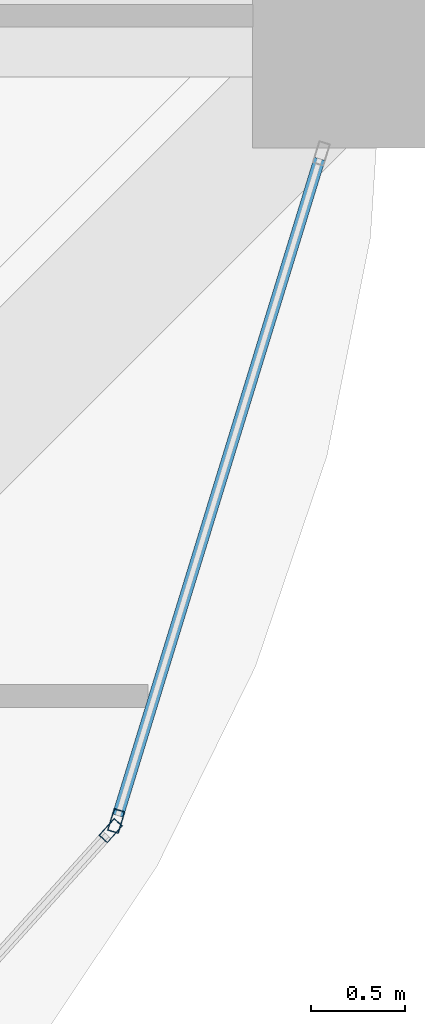
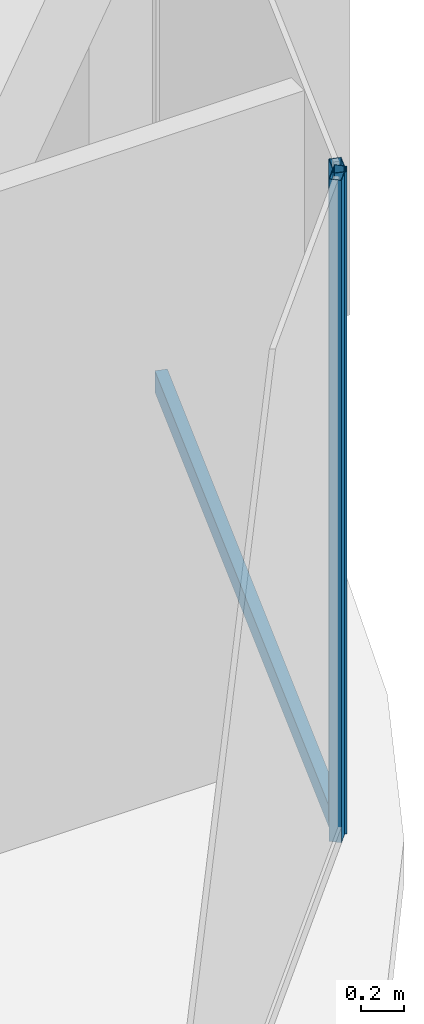
# One storey, part 19 of 43: 3 members, 2 elements without a shape of their own.
"""IFC4 building model written with IfcOpenShell, lengths in metres."""

from ifc_helpers import new_model, si_unit, direction, frame, origin, origin_2d, place, context, subcontext, project, spatial, hollow_rectangle, extrude, material, material_profile, profile_set, type_object, element, aggregate, save


model = new_model("IFC4")

# Units and contexts
model_context = context("Model", 3, precision=1e-05, world=origin(), true_north=direction((0.0, 1.0)))
body_context = subcontext(model_context, "Body", "Model", "MODEL_VIEW")
ifc_project = project(units=[si_unit("LENGTHUNIT", "METRE"), si_unit("AREAUNIT", "SQUARE_METRE"), si_unit("VOLUMEUNIT", "CUBIC_METRE"), si_unit("PLANEANGLEUNIT", "RADIAN"), si_unit("MASSUNIT", "GRAM", prefix="KILO")], contexts=[model_context])

# Site, building, storey
site_placement = place(None, origin())
site = spatial("IfcSite", under=ifc_project, at=site_placement, CompositionType="ELEMENT")
building_placement = place(site_placement, origin())
building = spatial("IfcBuilding", under=site, at=building_placement, Name="Zorevar Civic Tower", CompositionType="ELEMENT")
storey_placement = place(building_placement, frame((0.0, 0.0, 243.39990234375)))
storey = spatial("IfcBuildingStorey", under=building, at=storey_placement, Name="L59", CompositionType="ELEMENT", Elevation=243.39990234375)

# Curtain wall, member
ifc_material_1 = material(Name="Dark grey solar-control glass in black aluminium frame", Category="aluminium")
curtain_wall_type = type_object("IfcCurtainWallType", Name="Curtain wall CW5 top zone", PredefinedType="NOTDEFINED", material=ifc_material_1)
curtain_wall_1_placement = place(storey_placement, origin())
curtain_wall_1 = element("IfcCurtainWall", 1, at=curtain_wall_1_placement, inside=storey, type_object=curtain_wall_type, Name="CW5 L59", PredefinedType="NOTDEFINED")
ifc_material_2 = material(Name="Aluminium, black anodised", Category="aluminium")
ifc_material_profile_1 = material_profile(ifc_material_2, hollow_rectangle(XDim=0.06005859375, YDim=0.1201171875, WallThickness=0.0029296875, at=origin_2d()), Name="AL 120x60x3")
ifc_profile_set_1 = profile_set([ifc_material_profile_1], Name="Aluminium, black anodised")
member_type_1 = type_object("IfcMemberType", Name="CW5 mullion AL 120x60x3", PredefinedType="MULLION", material=ifc_profile_set_1)
member_1_placement = place(storey_placement, frame((52.548583984375, 4.687744140625, 0.0), z_axis=(0.0, 0.0, 1.0), x_axis=(-0.743044518169, 0.669241992122, 0.0)))
member_1 = element("IfcMember", 2, at=member_1_placement, type_object=member_type_1, Name="CW5 mullion 2", PredefinedType="MULLION", context=body_context, shape_type="SweptSolid", body=[
    extrude(hollow_rectangle(XDim=0.06005859375, YDim=0.1201171875, WallThickness=0.0029296875, at=origin_2d()), origin(), (0.0, 0.0, 1.0), 3.75),
])
aggregate(curtain_wall_1, [member_1])

# Curtain wall, members
curtain_wall_2_placement = place(storey_placement, origin())
curtain_wall_2 = element("IfcCurtainWall", 3, at=curtain_wall_2_placement, inside=storey, type_object=curtain_wall_type, Name="CW5 L59", PredefinedType="NOTDEFINED")
member_2_placement = place(storey_placement, frame((52.57763671875, 4.73876953125, 0.0), z_axis=(0.0, 0.0, 1.0), x_axis=(-0.955900106839, 0.293691991287, 0.0)))
member_2 = element("IfcMember", 4, at=member_2_placement, type_object=member_type_1, Name="CW5 mullion 1", PredefinedType="MULLION", context=body_context, shape_type="SweptSolid", body=[
    extrude(hollow_rectangle(XDim=0.06005859375, YDim=0.1201171875, WallThickness=0.0029296875, at=origin_2d()), origin(), (0.0, 0.0, 1.0), 3.75),
])
ifc_material_3 = material(Name="Aluminium, black anodised", Category="aluminium")
ifc_material_profile_2 = material_profile(ifc_material_3, hollow_rectangle(XDim=0.06005859375, YDim=0.1201171875, WallThickness=0.0029296875, at=origin_2d()), Name="AL 120x60x3")
ifc_profile_set_2 = profile_set([ifc_material_profile_2], Name="Aluminium, black anodised")
member_type_2 = type_object("IfcMemberType", Name="CW5 transom AL 120x60x3", PredefinedType="USERDEFINED", material=ifc_profile_set_2)
member_3_placement = place(storey_placement, frame((52.58642578125, 4.767333984375, 0.030029296875), z_axis=(0.293656408299, 0.955911038677, 0.0), x_axis=(-0.955911038677, 0.293656408299, 0.0)))
member_3 = element("IfcMember", 5, at=member_3_placement, type_object=member_type_2, Name="CW5 sill transom", ObjectType="TRANSOM", PredefinedType="USERDEFINED", context=body_context, shape_type="SweptSolid", body=[
    extrude(hollow_rectangle(XDim=0.06005859375, YDim=0.1201171875, WallThickness=0.0029296875, at=origin_2d()), origin(), (0.0, 0.0, 1.0), 3.6357421875),
])
aggregate(curtain_wall_2, [member_2, member_3])

save(model, "model.ifc")
